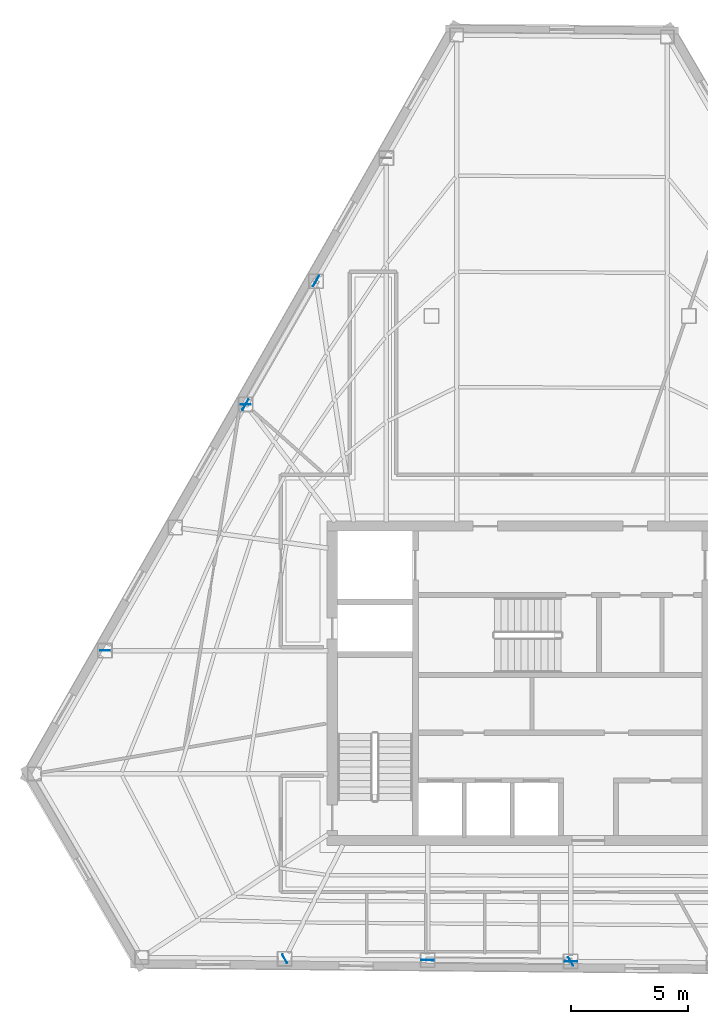
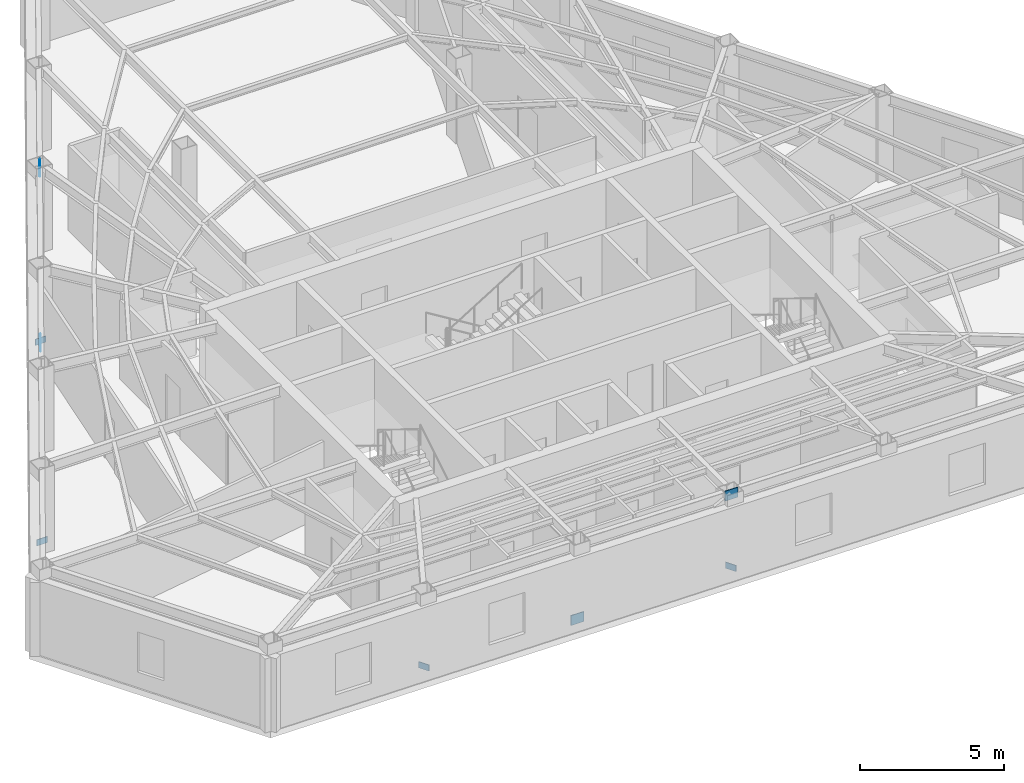
# One storey, part 4 of 10: 8 plates.
"""IFC4 building model written with IfcOpenShell, lengths in metres."""

from ifc_helpers import new_model, si_unit, direction, frame, origin, origin_2d, place, context, subcontext, project, spatial, rectangle, extrude, material, layer, layer_set, type_object, element, save


model = new_model("IFC4")

# Units and contexts
model_context = context("Model", 3, precision=1e-05, world=origin(), true_north=direction((0.0, 1.0)))
body_context = subcontext(model_context, "Body", "Model", "MODEL_VIEW")
ifc_project = project(units=[si_unit("LENGTHUNIT", "METRE"), si_unit("AREAUNIT", "SQUARE_METRE"), si_unit("VOLUMEUNIT", "CUBIC_METRE"), si_unit("PLANEANGLEUNIT", "RADIAN"), si_unit("MASSUNIT", "GRAM", prefix="KILO")], contexts=[model_context])

# Site, building, storey
site_placement = place(None, origin())
site = spatial("IfcSite", under=ifc_project, at=site_placement, CompositionType="ELEMENT")
building_placement = place(site_placement, origin())
building = spatial("IfcBuilding", under=site, at=building_placement, Name="Kavelnor Concourse Tower", CompositionType="ELEMENT")
storey_placement = place(building_placement, frame((0.0, 0.0, 180.39990234375)))
storey = spatial("IfcBuildingStorey", under=building, at=storey_placement, Name="L45", CompositionType="ELEMENT", Elevation=180.39990234375)

# Plates
ifc_material = material(Name="Steel Grade 350", Category="steel")
ifc_layer_1 = layer(ifc_material, 0.031982421875, Name="Steel Grade 350")
ifc_layer_set_1 = layer_set([ifc_layer_1], Name="Steel Grade 350")
plate_type_1 = type_object("IfcPlateType", Name="PL-GUSSET-TUBE-Z1", PredefinedType="USERDEFINED", material=ifc_layer_set_1)
for number, where, z_axis, x_axis, name in (
    (1, (24.547607421875, 28.010986328125, 0.01025390625), (0.0, 0.0, 1.0), (0.496064966839, 0.868285407383, 0.0), "L45 Tube Brace Gusset GP3 F0-B2 End Gusset A"),
    (2, (27.56591796875, 33.294677734375, 3.16015625), (0.0, 0.0, 1.0), (0.496064966839, 0.868285407383, 0.0), "L45 Tube Brace Gusset GP3 F0-B2 End Gusset B"),
    (3, (32.324462890625, 4.271484375, 0.01025390625), (0.0, 0.0, 1.0), (0.999957216788, -0.009250113117, 0.0), "L45 Tube Brace Gusset GP3 F1-B2 End Gusset A"),
    (4, (38.45947265625, 4.215087890625, 3.16015625), (0.0, 0.0, 1.0), (0.999957216788, -0.009250113117, 0.0), "L45 Tube Brace Gusset GP3 F1-B2 End Gusset B"),
):
    element("IfcPlate", number, at=place(storey_placement, frame(where, z_axis=z_axis, x_axis=x_axis)), inside=storey, type_object=plate_type_1, Name=name, ObjectType="GUSSET_PLATE", PredefinedType="USERDEFINED", context=body_context, shape_type="SweptSolid", body=[
        extrude(rectangle(XDim=0.52001953125, YDim=0.031982421875, at=origin_2d()), origin(), (0.0, 0.0, 1.0), 0.419921875),
    ])
ifc_layer_2 = layer(ifc_material, 0.02490234375, Name="Steel Grade 350")
ifc_layer_set_2 = layer_set([ifc_layer_2], Name="Steel Grade 350")
plate_type_2 = type_object("IfcPlateType", Name="PL-SPLICE-FLANGE", PredefinedType="SHEET", material=ifc_layer_set_2)
for number, where, z_axis, x_axis, name in (
    (5, (24.5537109375, 28.021484375, 0.169921875), (0.0, 0.0, 1.0), (1.0, 0.0, 0.0), "L45 Column Flange Splice Plate F0-B3"),
    (6, (18.54150390625, 17.495849609375, 0.169921875), (0.0, 0.0, 1.0), (1.0, 0.0, 0.0), "L45 Column Flange Splice Plate F0-B5"),
    (7, (26.2255859375, 4.327392578125, 0.169921875), (0.0, 0.0, 1.0), (-0.5, 0.866025403784, 0.0), "L45 Column Flange Splice Plate F1-B1"),
    (8, (38.447509765625, 4.21533203125, 0.169921875), (0.0, 0.0, 1.0), (-0.5, 0.866025403784, 0.0), "L45 Column Flange Splice Plate F1-B3"),
):
    element("IfcPlate", number, at=place(storey_placement, frame(where, z_axis=z_axis, x_axis=x_axis)), inside=storey, type_object=plate_type_2, Name=name, PredefinedType="SHEET", context=body_context, shape_type="SweptSolid", body=[
        extrude(rectangle(XDim=0.419921875, YDim=0.02490234375, at=origin_2d()), origin(), (0.0, 0.0, 1.0), 0.260009765625),
    ])

save(model, "model.ifc")
